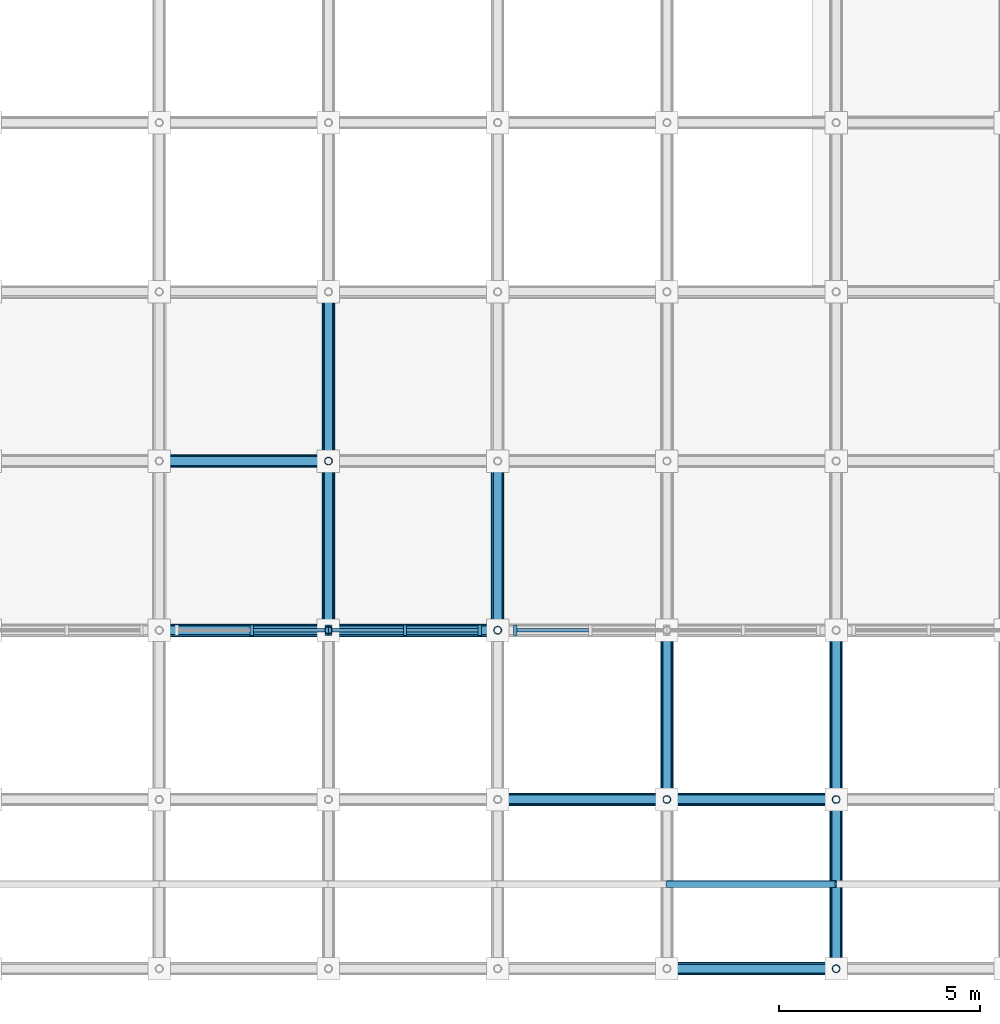
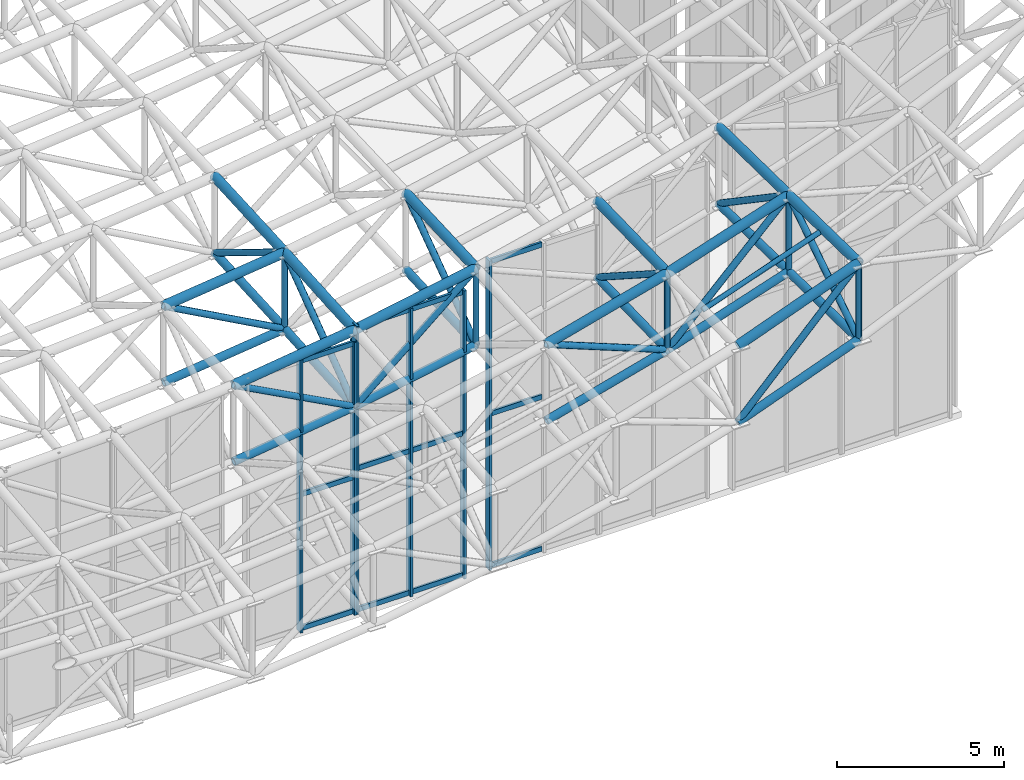
# One storey, part 16 of 93: 61 members, 3 elements without a shape of their own.
"""IFC4 building model written with IfcOpenShell, lengths in metres."""

from ifc_helpers import new_model, si_unit, direction, frame, origin, origin_2d, place, context, subcontext, project, spatial, rectangle, hollow_circle, extrude, material, material_profile, profile_set, type_object, element, aggregate, save


model = new_model("IFC4")

# Units and contexts
model_context = context("Model", 3, precision=1e-05, world=origin(), true_north=direction((0.0, 1.0)))
body_context = subcontext(model_context, "Body", "Model", "MODEL_VIEW")
ifc_project = project(units=[si_unit("LENGTHUNIT", "METRE"), si_unit("AREAUNIT", "SQUARE_METRE"), si_unit("VOLUMEUNIT", "CUBIC_METRE"), si_unit("PLANEANGLEUNIT", "RADIAN"), si_unit("MASSUNIT", "GRAM", prefix="KILO")], contexts=[model_context])

# Site, building, storey
site_placement = place(None, origin())
site = spatial("IfcSite", under=ifc_project, at=site_placement, CompositionType="ELEMENT")
building_placement = place(site_placement, origin())
building = spatial("IfcBuilding", under=site, at=building_placement, Name="Cumbredor Promenade Congress Hotel", CompositionType="ELEMENT")
storey_placement = place(building_placement, frame((0.0, 0.0, 21.840087890625)))
storey = spatial("IfcBuildingStorey", under=building, at=storey_placement, Name="L06", CompositionType="ELEMENT", Elevation=21.840087890625)

# Curtain wall, members
ifc_material_1 = material(Name="Thermally broken anodized aluminium and low-E glass", Category="aluminium")
curtain_wall_type = type_object("IfcCurtainWallType", Name="Stepped Pavilion Clerestory Curtain Wall CW-06", PredefinedType="NOTDEFINED", material=ifc_material_1)
curtain_wall_1_placement = place(storey_placement, origin())
curtain_wall_1 = element("IfcCurtainWall", 1, at=curtain_wall_1_placement, inside=storey, type_object=curtain_wall_type, Name="Plenary Congress Hall S Glazed Clerestory 9", PredefinedType="NOTDEFINED")
ifc_material_2 = material(Name="Thermally broken anodized aluminium", Category="aluminium")
ifc_material_profile_1 = material_profile(ifc_material_2, rectangle(XDim=0.0849609375, YDim=0.260009765625, at=origin_2d()), Name="ALU MULLION CLERESTORY 85x260")
ifc_profile_set_1 = profile_set([ifc_material_profile_1], Name="Thermally broken anodized aluminium")
member_type_1 = type_object("IfcMemberType", Name="Curtain Wall Mullion ML-04", PredefinedType="MULLION", material=ifc_profile_set_1)
member_1_placement = place(storey_placement, frame((44.300048828125, 8.39990234375, -0.01806640625), z_axis=(0.0, 0.0, 1.0), x_axis=(1.0, 0.0, 0.0)))
member_1 = element("IfcMember", 2, at=member_1_placement, type_object=member_type_1, Name="Plenary Congress Hall S Glazed Clerestory 9 Mullion 2", PredefinedType="MULLION", context=body_context, shape_type="SweptSolid", body=[
    extrude(rectangle(XDim=0.0849609375, YDim=0.260009765625, at=origin_2d()), origin(), (0.0, 0.0, 1.0), 9.986328125),
])
member_2_placement = place(storey_placement, frame((46.159912109375, 8.39990234375, -0.01806640625), z_axis=(0.0, 0.0, 1.0), x_axis=(1.0, 0.0, 0.0)))
member_2 = element("IfcMember", 3, at=member_2_placement, type_object=member_type_1, Name="Plenary Congress Hall S Glazed Clerestory 9 Mullion 3", PredefinedType="MULLION", context=body_context, shape_type="SweptSolid", body=[
    extrude(rectangle(XDim=0.0849609375, YDim=0.260009765625, at=origin_2d()), origin(), (0.0, 0.0, 1.0), 9.986328125),
])

curtain_wall_2_placement = place(storey_placement, origin())
curtain_wall_2 = element("IfcCurtainWall", 4, at=curtain_wall_2_placement, inside=storey, type_object=curtain_wall_type, Name="Plenary Congress Hall S Glazed Clerestory 10", PredefinedType="NOTDEFINED")
member_3_placement = place(storey_placement, frame((46.239990234375, 8.39990234375, -0.01806640625), z_axis=(0.0, 0.0, 1.0), x_axis=(1.0, 0.0, 0.0)))
member_3 = element("IfcMember", 5, at=member_3_placement, type_object=member_type_1, Name="Plenary Congress Hall S Glazed Clerestory 10 Mullion 1", PredefinedType="MULLION", context=body_context, shape_type="SweptSolid", body=[
    extrude(rectangle(XDim=0.0849609375, YDim=0.260009765625, at=origin_2d()), origin(), (0.0, 0.0, 1.0), 10.543701171875),
])
member_4_placement = place(storey_placement, frame((48.10009765625, 8.39990234375, -0.01806640625), z_axis=(0.0, 0.0, 1.0), x_axis=(1.0, 0.0, 0.0)))
member_4 = element("IfcMember", 6, at=member_4_placement, type_object=member_type_1, Name="Plenary Congress Hall S Glazed Clerestory 10 Mullion 2", PredefinedType="MULLION", context=body_context, shape_type="SweptSolid", body=[
    extrude(rectangle(XDim=0.0849609375, YDim=0.260009765625, at=origin_2d()), origin(), (0.0, 0.0, 1.0), 10.543701171875),
])
member_5_placement = place(storey_placement, frame((49.9599609375, 8.39990234375, -0.01806640625), z_axis=(0.0, 0.0, 1.0), x_axis=(1.0, 0.0, 0.0)))
member_5 = element("IfcMember", 7, at=member_5_placement, type_object=member_type_1, Name="Plenary Congress Hall S Glazed Clerestory 10 Mullion 3", PredefinedType="MULLION", context=body_context, shape_type="SweptSolid", body=[
    extrude(rectangle(XDim=0.0849609375, YDim=0.260009765625, at=origin_2d()), origin(), (0.0, 0.0, 1.0), 10.543701171875),
])

# Curtain wall, member
curtain_wall_3_placement = place(storey_placement, origin())
curtain_wall_3 = element("IfcCurtainWall", 8, at=curtain_wall_3_placement, inside=storey, type_object=curtain_wall_type, Name="Plenary Congress Hall S Glazed Clerestory 11", PredefinedType="NOTDEFINED")
member_6_placement = place(storey_placement, frame((50.840087890625, 8.39990234375, -0.01806640625), z_axis=(0.0, 0.0, 1.0), x_axis=(1.0, 0.0, 0.0)))
member_6 = element("IfcMember", 9, at=member_6_placement, type_object=member_type_1, Name="Plenary Congress Hall S Glazed Clerestory 11 Mullion 1", PredefinedType="MULLION", context=body_context, shape_type="SweptSolid", body=[
    extrude(rectangle(XDim=0.0849609375, YDim=0.260009765625, at=origin_2d()), origin(), (0.0, 0.0, 1.0), 11.32421875),
])

# Member
ifc_material_profile_2 = material_profile(ifc_material_2, rectangle(XDim=0.080078125, YDim=0.179931640625, at=origin_2d()), Name="ALU TRANSOM 80x180")
ifc_profile_set_2 = profile_set([ifc_material_profile_2], Name="Thermally broken anodized aluminium")
member_type_2 = type_object("IfcMemberType", Name="Curtain Wall Transom TR-03", PredefinedType="USERDEFINED", material=ifc_profile_set_2)
member_7_placement = place(storey_placement, frame((44.342529296875, 8.39990234375, 0.079833984375), z_axis=(1.0, 0.0, 0.0), x_axis=(0.0, 1.0, 0.0)))
member_7 = element("IfcMember", 10, at=member_7_placement, type_object=member_type_2, Name="Plenary Congress Hall S Glazed Clerestory 9 Transom 2.1", ObjectType="TRANSOM", PredefinedType="USERDEFINED", context=body_context, shape_type="SweptSolid", body=[
    extrude(rectangle(XDim=0.080078125, YDim=0.179931640625, at=origin_2d()), origin(), (0.0, 0.0, 1.0), 1.77490234375),
])

member_8_placement = place(storey_placement, frame((44.342529296875, 8.39990234375, 4.97998046875), z_axis=(1.0, 0.0, 0.0), x_axis=(0.0, 1.0, 0.0)))
member_8 = element("IfcMember", 11, at=member_8_placement, type_object=member_type_2, Name="Plenary Congress Hall S Glazed Clerestory 9 Transom 2.2", ObjectType="TRANSOM", PredefinedType="USERDEFINED", context=body_context, shape_type="SweptSolid", body=[
    extrude(rectangle(XDim=0.080078125, YDim=0.179931640625, at=origin_2d()), origin(), (0.0, 0.0, 1.0), 1.77490234375),
])

member_9_placement = place(storey_placement, frame((44.342529296875, 8.39990234375, 9.869873046875), z_axis=(1.0, 0.0, 0.0), x_axis=(0.0, 1.0, 0.0)))
member_9 = element("IfcMember", 12, at=member_9_placement, type_object=member_type_2, Name="Plenary Congress Hall S Glazed Clerestory 9 Transom 2.3", ObjectType="TRANSOM", PredefinedType="USERDEFINED", context=body_context, shape_type="SweptSolid", body=[
    extrude(rectangle(XDim=0.080078125, YDim=0.179931640625, at=origin_2d()), origin(), (0.0, 0.0, 1.0), 1.77490234375),
])

aggregate(curtain_wall_1, [member_1, member_2, member_7, member_8, member_9])

member_10_placement = place(storey_placement, frame((46.282470703125, 8.39990234375, 0.079833984375), z_axis=(1.0, 0.0, 0.0), x_axis=(0.0, 1.0, 0.0)))
member_10 = element("IfcMember", 13, at=member_10_placement, type_object=member_type_2, Name="Plenary Congress Hall S Glazed Clerestory 10 Transom 1.1", ObjectType="TRANSOM", PredefinedType="USERDEFINED", context=body_context, shape_type="SweptSolid", body=[
    extrude(rectangle(XDim=0.080078125, YDim=0.179931640625, at=origin_2d()), origin(), (0.0, 0.0, 1.0), 1.775146484375),
])

member_11_placement = place(storey_placement, frame((46.282470703125, 8.39990234375, 5.260009765625), z_axis=(1.0, 0.0, 0.0), x_axis=(0.0, 1.0, 0.0)))
member_11 = element("IfcMember", 14, at=member_11_placement, type_object=member_type_2, Name="Plenary Congress Hall S Glazed Clerestory 10 Transom 1.2", ObjectType="TRANSOM", PredefinedType="USERDEFINED", context=body_context, shape_type="SweptSolid", body=[
    extrude(rectangle(XDim=0.080078125, YDim=0.179931640625, at=origin_2d()), origin(), (0.0, 0.0, 1.0), 1.775146484375),
])

member_12_placement = place(storey_placement, frame((46.282470703125, 8.39990234375, 10.429931640625), z_axis=(1.0, 0.0, 0.0), x_axis=(0.0, 1.0, 0.0)))
member_12 = element("IfcMember", 15, at=member_12_placement, type_object=member_type_2, Name="Plenary Congress Hall S Glazed Clerestory 10 Transom 1.3", ObjectType="TRANSOM", PredefinedType="USERDEFINED", context=body_context, shape_type="SweptSolid", body=[
    extrude(rectangle(XDim=0.080078125, YDim=0.179931640625, at=origin_2d()), origin(), (0.0, 0.0, 1.0), 1.775146484375),
])

member_13_placement = place(storey_placement, frame((48.142578125, 8.39990234375, 0.079833984375), z_axis=(1.0, 0.0, 0.0), x_axis=(0.0, 1.0, 0.0)))
member_13 = element("IfcMember", 16, at=member_13_placement, type_object=member_type_2, Name="Plenary Congress Hall S Glazed Clerestory 10 Transom 2.1", ObjectType="TRANSOM", PredefinedType="USERDEFINED", context=body_context, shape_type="SweptSolid", body=[
    extrude(rectangle(XDim=0.080078125, YDim=0.179931640625, at=origin_2d()), origin(), (0.0, 0.0, 1.0), 1.77490234375),
])

member_14_placement = place(storey_placement, frame((48.142578125, 8.39990234375, 5.260009765625), z_axis=(1.0, 0.0, 0.0), x_axis=(0.0, 1.0, 0.0)))
member_14 = element("IfcMember", 17, at=member_14_placement, type_object=member_type_2, Name="Plenary Congress Hall S Glazed Clerestory 10 Transom 2.2", ObjectType="TRANSOM", PredefinedType="USERDEFINED", context=body_context, shape_type="SweptSolid", body=[
    extrude(rectangle(XDim=0.080078125, YDim=0.179931640625, at=origin_2d()), origin(), (0.0, 0.0, 1.0), 1.77490234375),
])

member_15_placement = place(storey_placement, frame((48.142578125, 8.39990234375, 10.429931640625), z_axis=(1.0, 0.0, 0.0), x_axis=(0.0, 1.0, 0.0)))
member_15 = element("IfcMember", 18, at=member_15_placement, type_object=member_type_2, Name="Plenary Congress Hall S Glazed Clerestory 10 Transom 2.3", ObjectType="TRANSOM", PredefinedType="USERDEFINED", context=body_context, shape_type="SweptSolid", body=[
    extrude(rectangle(XDim=0.080078125, YDim=0.179931640625, at=origin_2d()), origin(), (0.0, 0.0, 1.0), 1.77490234375),
])

aggregate(curtain_wall_2, [member_3, member_4, member_5, member_10, member_11, member_12, member_13, member_14, member_15])

member_16_placement = place(storey_placement, frame((50.882568359375, 8.39990234375, 0.079833984375), z_axis=(1.0, 0.0, 0.0), x_axis=(0.0, 1.0, 0.0)))
member_16 = element("IfcMember", 19, at=member_16_placement, type_object=member_type_2, Name="Plenary Congress Hall S Glazed Clerestory 11 Transom 1.1", ObjectType="TRANSOM", PredefinedType="USERDEFINED", context=body_context, shape_type="SweptSolid", body=[
    extrude(rectangle(XDim=0.080078125, YDim=0.179931640625, at=origin_2d()), origin(), (0.0, 0.0, 1.0), 1.77490234375),
])

member_17_placement = place(storey_placement, frame((50.882568359375, 8.39990234375, 5.639892578125), z_axis=(1.0, 0.0, 0.0), x_axis=(0.0, 1.0, 0.0)))
member_17 = element("IfcMember", 20, at=member_17_placement, type_object=member_type_2, Name="Plenary Congress Hall S Glazed Clerestory 11 Transom 1.2", ObjectType="TRANSOM", PredefinedType="USERDEFINED", context=body_context, shape_type="SweptSolid", body=[
    extrude(rectangle(XDim=0.080078125, YDim=0.179931640625, at=origin_2d()), origin(), (0.0, 0.0, 1.0), 1.77490234375),
])

member_18_placement = place(storey_placement, frame((50.882568359375, 8.39990234375, 11.2099609375), z_axis=(1.0, 0.0, 0.0), x_axis=(0.0, 1.0, 0.0)))
member_18 = element("IfcMember", 21, at=member_18_placement, type_object=member_type_2, Name="Plenary Congress Hall S Glazed Clerestory 11 Transom 1.3", ObjectType="TRANSOM", PredefinedType="USERDEFINED", context=body_context, shape_type="SweptSolid", body=[
    extrude(rectangle(XDim=0.080078125, YDim=0.179931640625, at=origin_2d()), origin(), (0.0, 0.0, 1.0), 1.77490234375),
])

aggregate(curtain_wall_3, [member_6, member_16, member_17, member_18])

# Members
ifc_material_3 = material(Name="Steel ASTM A500 Grade C", Category="steel")
ifc_material_profile_3 = material_profile(ifc_material_3, hollow_circle(Radius=0.136474609375, WallThickness=0.01611328125, at=origin_2d()), Name="CHS 273.0x16")
ifc_profile_set_3 = profile_set([ifc_material_profile_3], Name="Steel ASTM A500 Grade C")
member_type_3 = type_object("IfcMemberType", Name="Plenary Roof Space Frame Bottom Chord", PredefinedType="CHORD", material=ifc_profile_set_3)
member_19_placement = place(storey_placement, frame((54.60009765625, 0.0, 9.10302734375), z_axis=(0.936760366069, 0.0, 0.349971451068), x_axis=(0.0, 1.0, 0.0)))
element("IfcMember", 22, at=member_19_placement, inside=storey, type_object=member_type_3, Name="Plenary Congress Hall X Bottom Chord 15.1", PredefinedType="CHORD", context=body_context, shape_type="SweptSolid", body=[
    extrude(hollow_circle(Radius=0.136474609375, WallThickness=0.01611328125, at=origin_2d()), origin(), (0.0, 0.0, 1.0), 4.4833984375),
])
member_20_placement = place(storey_placement, frame((50.39990234375, 4.199951171875, 8.083984375), z_axis=(0.965444332881, 0.0, 0.260609363049), x_axis=(0.0, 1.0, 0.0)))
element("IfcMember", 23, at=member_20_placement, inside=storey, type_object=member_type_3, Name="Plenary Congress Hall X Bottom Chord 14.2", PredefinedType="CHORD", context=body_context, shape_type="SweptSolid", body=[
    extrude(hollow_circle(Radius=0.136474609375, WallThickness=0.01611328125, at=origin_2d()), origin(), (0.0, 0.0, 1.0), 4.3505859375),
])
member_21_placement = place(storey_placement, frame((54.60009765625, 4.199951171875, 9.2177734375), z_axis=(0.949661335763, 0.0, 0.313278386354), x_axis=(0.0, 1.0, 0.0)))
element("IfcMember", 24, at=member_21_placement, inside=storey, type_object=member_type_3, Name="Plenary Congress Hall X Bottom Chord 15.2", PredefinedType="CHORD", context=body_context, shape_type="SweptSolid", body=[
    extrude(hollow_circle(Radius=0.136474609375, WallThickness=0.01611328125, at=origin_2d()), origin(), (0.0, 0.0, 1.0), 4.422607421875),
])
member_22_placement = place(storey_placement, frame((42.0, 8.39990234375, 6.980224609375), z_axis=(0.991308740539, 0.0, 0.131555999224), x_axis=(0.0, 1.0, 0.0)))
element("IfcMember", 25, at=member_22_placement, inside=storey, type_object=member_type_3, Name="Plenary Congress Hall X Bottom Chord 12.3", PredefinedType="CHORD", context=body_context, shape_type="SweptSolid", body=[
    extrude(hollow_circle(Radius=0.136474609375, WallThickness=0.01611328125, at=origin_2d()), origin(), (0.0, 0.0, 1.0), 4.23681640625),
])
member_23_placement = place(storey_placement, frame((46.199951171875, 8.39990234375, 7.53759765625), z_axis=(0.98316659684, 0.0, 0.182711364884), x_axis=(0.0, 1.0, 0.0)))
element("IfcMember", 26, at=member_23_placement, inside=storey, type_object=member_type_3, Name="Plenary Congress Hall X Bottom Chord 13.3", PredefinedType="CHORD", context=body_context, shape_type="SweptSolid", body=[
    extrude(hollow_circle(Radius=0.136474609375, WallThickness=0.01611328125, at=origin_2d()), origin(), (0.0, 0.0, 1.0), 4.27197265625),
])
member_24_placement = place(storey_placement, frame((42.0, 12.60009765625, 7.329833984375), z_axis=(0.993116278673, 0.0, 0.117132647179), x_axis=(0.0, 1.0, 0.0)))
element("IfcMember", 27, at=member_24_placement, inside=storey, type_object=member_type_3, Name="Plenary Congress Hall X Bottom Chord 12.4", PredefinedType="CHORD", context=body_context, shape_type="SweptSolid", body=[
    extrude(hollow_circle(Radius=0.136474609375, WallThickness=0.01611328125, at=origin_2d()), origin(), (0.0, 0.0, 1.0), 4.22900390625),
])
member_25_placement = place(storey_placement, frame((46.199951171875, 8.39990234375, 7.53759765625), z_axis=(0.0, 0.997663973017, 0.068312494781), x_axis=(-1.0, 0.0, 0.0)))
element("IfcMember", 28, at=member_25_placement, inside=storey, type_object=member_type_3, Name="Plenary Congress Hall Y Bottom Chord 13.3", PredefinedType="CHORD", context=body_context, shape_type="SweptSolid", body=[
    extrude(hollow_circle(Radius=0.136474609375, WallThickness=0.01611328125, at=origin_2d()), origin(), (0.0, 0.0, 1.0), 4.2099609375),
])
member_26_placement = place(storey_placement, frame((46.199951171875, 12.60009765625, 7.8251953125), z_axis=(0.0, 0.998378032968, 0.056932444942), x_axis=(-1.0, 0.0, 0.0)))
element("IfcMember", 29, at=member_26_placement, inside=storey, type_object=member_type_3, Name="Plenary Congress Hall Y Bottom Chord 13.4", PredefinedType="CHORD", context=body_context, shape_type="SweptSolid", body=[
    extrude(hollow_circle(Radius=0.136474609375, WallThickness=0.01611328125, at=origin_2d()), origin(), (0.0, 0.0, 1.0), 4.206787109375),
])
member_27_placement = place(storey_placement, frame((50.39990234375, 8.39990234375, 8.318115234375), z_axis=(0.0, 0.998863272288, 0.047667213819), x_axis=(-1.0, 0.0, 0.0)))
element("IfcMember", 30, at=member_27_placement, inside=storey, type_object=member_type_3, Name="Plenary Congress Hall Y Bottom Chord 14.3", PredefinedType="CHORD", context=body_context, shape_type="SweptSolid", body=[
    extrude(hollow_circle(Radius=0.136474609375, WallThickness=0.01611328125, at=origin_2d()), origin(), (0.0, 0.0, 1.0), 4.205078125),
])
member_28_placement = place(storey_placement, frame((54.60009765625, 4.199951171875, 9.2177734375), z_axis=(0.0, 0.999694971273, 0.024697457582), x_axis=(-1.0, 0.0, 0.0)))
element("IfcMember", 31, at=member_28_placement, inside=storey, type_object=member_type_3, Name="Plenary Congress Hall Y Bottom Chord 15.2", PredefinedType="CHORD", context=body_context, shape_type="SweptSolid", body=[
    extrude(hollow_circle(Radius=0.136474609375, WallThickness=0.01611328125, at=origin_2d()), origin(), (0.0, 0.0, 1.0), 4.201171875),
])
member_29_placement = place(storey_placement, frame((58.800048828125, 0.0, 10.672119140625), z_axis=(0.0, 0.999865670213, -0.016390287682), x_axis=(-1.0, 0.0, 0.0)))
element("IfcMember", 32, at=member_29_placement, inside=storey, type_object=member_type_3, Name="Plenary Congress Hall Y Bottom Chord 16.1", PredefinedType="CHORD", context=body_context, shape_type="SweptSolid", body=[
    extrude(hollow_circle(Radius=0.136474609375, WallThickness=0.01611328125, at=origin_2d()), origin(), (0.0, 0.0, 1.0), 4.200439453125),
])
member_30_placement = place(storey_placement, frame((58.800048828125, 4.199951171875, 10.603271484375), z_axis=(0.0, 0.999912952434, -0.013194224275), x_axis=(-1.0, 0.0, 0.0)))
element("IfcMember", 33, at=member_30_placement, inside=storey, type_object=member_type_3, Name="Plenary Congress Hall Y Bottom Chord 16.2", PredefinedType="CHORD", context=body_context, shape_type="SweptSolid", body=[
    extrude(hollow_circle(Radius=0.136474609375, WallThickness=0.01611328125, at=origin_2d()), origin(), (0.0, 0.0, 1.0), 4.2001953125),
])
ifc_material_profile_4 = material_profile(ifc_material_3, hollow_circle(Radius=0.161865234375, WallThickness=0.01611328125, at=origin_2d()), Name="CHS 323.9x16")
ifc_profile_set_4 = profile_set([ifc_material_profile_4], Name="Steel ASTM A500 Grade C")
member_type_4 = type_object("IfcMemberType", Name="Plenary Roof Space Frame Top Chord", PredefinedType="CHORD", material=ifc_profile_set_4)
member_31_placement = place(storey_placement, frame((54.60009765625, 0.0, 11.903076171875), z_axis=(0.936760366069, 0.0, 0.349971451068), x_axis=(0.0, 1.0, 0.0)))
element("IfcMember", 34, at=member_31_placement, inside=storey, type_object=member_type_4, Name="Plenary Congress Hall X Top Chord 15.1", PredefinedType="CHORD", context=body_context, shape_type="SweptSolid", body=[
    extrude(hollow_circle(Radius=0.161865234375, WallThickness=0.01611328125, at=origin_2d()), origin(), (0.0, 0.0, 1.0), 4.4833984375),
])
member_32_placement = place(storey_placement, frame((50.39990234375, 4.199951171875, 10.884033203125), z_axis=(0.965444332881, 0.0, 0.260609363049), x_axis=(0.0, 1.0, 0.0)))
element("IfcMember", 35, at=member_32_placement, inside=storey, type_object=member_type_4, Name="Plenary Congress Hall X Top Chord 14.2", PredefinedType="CHORD", context=body_context, shape_type="SweptSolid", body=[
    extrude(hollow_circle(Radius=0.161865234375, WallThickness=0.01611328125, at=origin_2d()), origin(), (0.0, 0.0, 1.0), 4.3505859375),
])
member_33_placement = place(storey_placement, frame((54.60009765625, 4.199951171875, 12.017822265625), z_axis=(0.949661335763, 0.0, 0.313278386354), x_axis=(0.0, 1.0, 0.0)))
element("IfcMember", 36, at=member_33_placement, inside=storey, type_object=member_type_4, Name="Plenary Congress Hall X Top Chord 15.2", PredefinedType="CHORD", context=body_context, shape_type="SweptSolid", body=[
    extrude(hollow_circle(Radius=0.161865234375, WallThickness=0.01611328125, at=origin_2d()), origin(), (0.0, 0.0, 1.0), 4.422607421875),
])
member_34_placement = place(storey_placement, frame((42.0, 8.39990234375, 9.7802734375), z_axis=(0.991308740539, 0.0, 0.131555999224), x_axis=(0.0, 1.0, 0.0)))
element("IfcMember", 37, at=member_34_placement, inside=storey, type_object=member_type_4, Name="Plenary Congress Hall X Top Chord 12.3", PredefinedType="CHORD", context=body_context, shape_type="SweptSolid", body=[
    extrude(hollow_circle(Radius=0.161865234375, WallThickness=0.01611328125, at=origin_2d()), origin(), (0.0, 0.0, 1.0), 4.23681640625),
])
member_35_placement = place(storey_placement, frame((46.199951171875, 8.39990234375, 10.337646484375), z_axis=(0.98316659684, 0.0, 0.182711364884), x_axis=(0.0, 1.0, 0.0)))
element("IfcMember", 38, at=member_35_placement, inside=storey, type_object=member_type_4, Name="Plenary Congress Hall X Top Chord 13.3", PredefinedType="CHORD", context=body_context, shape_type="SweptSolid", body=[
    extrude(hollow_circle(Radius=0.161865234375, WallThickness=0.01611328125, at=origin_2d()), origin(), (0.0, 0.0, 1.0), 4.27197265625),
])
member_36_placement = place(storey_placement, frame((42.0, 12.60009765625, 10.1298828125), z_axis=(0.993122992518, 0.0, 0.117075709401), x_axis=(0.0, 1.0, 0.0)))
element("IfcMember", 39, at=member_36_placement, inside=storey, type_object=member_type_4, Name="Plenary Congress Hall X Top Chord 12.4", PredefinedType="CHORD", context=body_context, shape_type="SweptSolid", body=[
    extrude(hollow_circle(Radius=0.161865234375, WallThickness=0.01611328125, at=origin_2d()), origin(), (0.0, 0.0, 1.0), 4.22900390625),
])
member_37_placement = place(storey_placement, frame((46.199951171875, 8.39990234375, 10.337646484375), z_axis=(0.0, 0.997667923567, 0.068254774822), x_axis=(-1.0, 0.0, 0.0)))
element("IfcMember", 40, at=member_37_placement, inside=storey, type_object=member_type_4, Name="Plenary Congress Hall Y Top Chord 13.3", PredefinedType="CHORD", context=body_context, shape_type="SweptSolid", body=[
    extrude(hollow_circle(Radius=0.161865234375, WallThickness=0.01611328125, at=origin_2d()), origin(), (0.0, 0.0, 1.0), 4.2099609375),
])
member_38_placement = place(storey_placement, frame((46.199951171875, 12.60009765625, 10.625), z_axis=(0.0, 0.998378032968, 0.056932444942), x_axis=(-1.0, 0.0, 0.0)))
element("IfcMember", 41, at=member_38_placement, inside=storey, type_object=member_type_4, Name="Plenary Congress Hall Y Top Chord 13.4", PredefinedType="CHORD", context=body_context, shape_type="SweptSolid", body=[
    extrude(hollow_circle(Radius=0.161865234375, WallThickness=0.01611328125, at=origin_2d()), origin(), (0.0, 0.0, 1.0), 4.206787109375),
])
member_39_placement = place(storey_placement, frame((50.39990234375, 8.39990234375, 11.1181640625), z_axis=(0.0, 0.998863272288, 0.047667213819), x_axis=(-1.0, 0.0, 0.0)))
element("IfcMember", 42, at=member_39_placement, inside=storey, type_object=member_type_4, Name="Plenary Congress Hall Y Top Chord 14.3", PredefinedType="CHORD", context=body_context, shape_type="SweptSolid", body=[
    extrude(hollow_circle(Radius=0.161865234375, WallThickness=0.01611328125, at=origin_2d()), origin(), (0.0, 0.0, 1.0), 4.205078125),
])
member_40_placement = place(storey_placement, frame((54.60009765625, 4.199951171875, 12.017822265625), z_axis=(0.0, 0.999694971273, 0.024697457582), x_axis=(-1.0, 0.0, 0.0)))
element("IfcMember", 43, at=member_40_placement, inside=storey, type_object=member_type_4, Name="Plenary Congress Hall Y Top Chord 15.2", PredefinedType="CHORD", context=body_context, shape_type="SweptSolid", body=[
    extrude(hollow_circle(Radius=0.161865234375, WallThickness=0.01611328125, at=origin_2d()), origin(), (0.0, 0.0, 1.0), 4.201171875),
])
member_41_placement = place(storey_placement, frame((58.800048828125, 0.0, 13.47216796875), z_axis=(0.0, 0.999865670213, -0.016390287682), x_axis=(-1.0, 0.0, 0.0)))
element("IfcMember", 44, at=member_41_placement, inside=storey, type_object=member_type_4, Name="Plenary Congress Hall Y Top Chord 16.1", PredefinedType="CHORD", context=body_context, shape_type="SweptSolid", body=[
    extrude(hollow_circle(Radius=0.161865234375, WallThickness=0.01611328125, at=origin_2d()), origin(), (0.0, 0.0, 1.0), 4.200439453125),
])
member_42_placement = place(storey_placement, frame((58.800048828125, 4.199951171875, 13.4033203125), z_axis=(0.0, 0.999912952434, -0.013194224275), x_axis=(-1.0, 0.0, 0.0)))
element("IfcMember", 45, at=member_42_placement, inside=storey, type_object=member_type_4, Name="Plenary Congress Hall Y Top Chord 16.2", PredefinedType="CHORD", context=body_context, shape_type="SweptSolid", body=[
    extrude(hollow_circle(Radius=0.161865234375, WallThickness=0.01611328125, at=origin_2d()), origin(), (0.0, 0.0, 1.0), 4.2001953125),
])
ifc_material_profile_5 = material_profile(ifc_material_3, hollow_circle(Radius=0.084228515625, WallThickness=0.010009765625, at=origin_2d()), Name="CHS 168.3x10")
ifc_profile_set_5 = profile_set([ifc_material_profile_5], Name="Steel ASTM A500 Grade C")
member_type_5 = type_object("IfcMemberType", Name="Roof Purlin CHS168", PredefinedType="PURLIN", material=ifc_profile_set_5)
member_43_placement = place(storey_placement, frame((54.60009765625, 2.10009765625, 11.9404296875), z_axis=(0.943345133946, 0.0, 0.331813137564), x_axis=(0.0, 1.0, 0.0)))
element("IfcMember", 46, at=member_43_placement, inside=storey, type_object=member_type_5, Name="Plenary Congress Hall Roof Eave Purlin 15.1", PredefinedType="PURLIN", context=body_context, shape_type="SweptSolid", body=[
    extrude(hollow_circle(Radius=0.084228515625, WallThickness=0.010009765625, at=origin_2d()), origin(), (0.0, 0.0, 1.0), 4.4521484375),
])
ifc_material_profile_6 = material_profile(ifc_material_3, hollow_circle(Radius=0.109619140625, WallThickness=0.012451171875, at=origin_2d()), Name="CHS 219.1x12.5")
ifc_profile_set_6 = profile_set([ifc_material_profile_6], Name="Steel ASTM A500 Grade C")
member_type_6 = type_object("IfcMemberType", Name="Space Frame Web Diagonal D1", PredefinedType="BRACE", material=ifc_profile_set_6)
member_44_placement = place(storey_placement, frame((54.60009765625, 0.0, 9.10302734375), z_axis=(0.693010491724, 0.0, 0.720927498685), x_axis=(0.0, 1.0, 0.0)))
element("IfcMember", 47, at=member_44_placement, inside=storey, type_object=member_type_6, Name="Plenary Congress Hall X Web Diagonal 15.1", PredefinedType="BRACE", context=body_context, shape_type="SweptSolid", body=[
    extrude(hollow_circle(Radius=0.109619140625, WallThickness=0.012451171875, at=origin_2d()), origin(), (0.0, 0.0, 1.0), 6.060546875),
])
member_45_placement = place(storey_placement, frame((50.39990234375, 4.199951171875, 10.884033203125), z_axis=(0.929527459473, 0.0, -0.368752901122), x_axis=(0.0, 1.0, 0.0)))
element("IfcMember", 48, at=member_45_placement, inside=storey, type_object=member_type_6, Name="Plenary Congress Hall X Web Diagonal 14.2", PredefinedType="BRACE", context=body_context, shape_type="SweptSolid", body=[
    extrude(hollow_circle(Radius=0.109619140625, WallThickness=0.012451171875, at=origin_2d()), origin(), (0.0, 0.0, 1.0), 4.5185546875),
])
member_46_placement = place(storey_placement, frame((54.60009765625, 4.199951171875, 9.2177734375), z_axis=(0.708320377911, 0.0, 0.705891098), x_axis=(0.0, 1.0, 0.0)))
element("IfcMember", 49, at=member_46_placement, inside=storey, type_object=member_type_6, Name="Plenary Congress Hall X Web Diagonal 15.2", PredefinedType="BRACE", context=body_context, shape_type="SweptSolid", body=[
    extrude(hollow_circle(Radius=0.109619140625, WallThickness=0.012451171875, at=origin_2d()), origin(), (0.0, 0.0, 1.0), 5.929443359375),
])
member_47_placement = place(storey_placement, frame((42.0, 8.39990234375, 9.7802734375), z_axis=(0.882117205046, 0.0, -0.471029974165), x_axis=(0.0, 1.0, 0.0)))
element("IfcMember", 50, at=member_47_placement, inside=storey, type_object=member_type_6, Name="Plenary Congress Hall X Web Diagonal 12.3", PredefinedType="BRACE", context=body_context, shape_type="SweptSolid", body=[
    extrude(hollow_circle(Radius=0.109619140625, WallThickness=0.012451171875, at=origin_2d()), origin(), (0.0, 0.0, 1.0), 4.76123046875),
])
member_48_placement = place(storey_placement, frame((46.199951171875, 8.39990234375, 7.53759765625), z_axis=(0.760990029258, 0.0, 0.648763574324), x_axis=(0.0, 1.0, 0.0)))
element("IfcMember", 51, at=member_48_placement, inside=storey, type_object=member_type_6, Name="Plenary Congress Hall X Web Diagonal 13.3", PredefinedType="BRACE", context=body_context, shape_type="SweptSolid", body=[
    extrude(hollow_circle(Radius=0.109619140625, WallThickness=0.012451171875, at=origin_2d()), origin(), (0.0, 0.0, 1.0), 5.51904296875),
])
member_49_placement = place(storey_placement, frame((42.0, 12.60009765625, 10.1298828125), z_axis=(0.876681386085, 0.0, -0.481071457574), x_axis=(0.0, 1.0, 0.0)))
element("IfcMember", 52, at=member_49_placement, inside=storey, type_object=member_type_6, Name="Plenary Congress Hall X Web Diagonal 12.4", PredefinedType="BRACE", context=body_context, shape_type="SweptSolid", body=[
    extrude(hollow_circle(Radius=0.109619140625, WallThickness=0.012451171875, at=origin_2d()), origin(), (0.0, 0.0, 1.0), 4.790771484375),
])
member_50_placement = place(storey_placement, frame((46.199951171875, 8.39990234375, 7.53759765625), z_axis=(0.0, 0.805740412365, 0.592268847638), x_axis=(-1.0, 0.0, 0.0)))
element("IfcMember", 53, at=member_50_placement, inside=storey, type_object=member_type_6, Name="Plenary Congress Hall Y Web Diagonal 13.3", PredefinedType="BRACE", context=body_context, shape_type="SweptSolid", body=[
    extrude(hollow_circle(Radius=0.109619140625, WallThickness=0.012451171875, at=origin_2d()), origin(), (0.0, 0.0, 1.0), 5.212890625),
])
member_51_placement = place(storey_placement, frame((46.199951171875, 12.60009765625, 10.625), z_axis=(0.0, 0.853854284911, -0.520512113345), x_axis=(-1.0, 0.0, 0.0)))
element("IfcMember", 54, at=member_51_placement, inside=storey, type_object=member_type_6, Name="Plenary Congress Hall Y Web Diagonal 13.4", PredefinedType="BRACE", context=body_context, shape_type="SweptSolid", body=[
    extrude(hollow_circle(Radius=0.109619140625, WallThickness=0.012451171875, at=origin_2d()), origin(), (0.0, 0.0, 1.0), 4.918701171875),
])
member_52_placement = place(storey_placement, frame((50.39990234375, 8.39990234375, 8.318115234375), z_axis=(0.0, 0.81370151239, 0.581282933462), x_axis=(-1.0, 0.0, 0.0)))
element("IfcMember", 55, at=member_52_placement, inside=storey, type_object=member_type_6, Name="Plenary Congress Hall Y Web Diagonal 14.3", PredefinedType="BRACE", context=body_context, shape_type="SweptSolid", body=[
    extrude(hollow_circle(Radius=0.109619140625, WallThickness=0.012451171875, at=origin_2d()), origin(), (0.0, 0.0, 1.0), 5.161865234375),
])
member_53_placement = place(storey_placement, frame((54.60009765625, 4.199951171875, 12.017822265625), z_axis=(0.0, 0.841513666609, -0.540235827125), x_axis=(-1.0, 0.0, 0.0)))
element("IfcMember", 56, at=member_53_placement, inside=storey, type_object=member_type_6, Name="Plenary Congress Hall Y Web Diagonal 15.2", PredefinedType="BRACE", context=body_context, shape_type="SweptSolid", body=[
    extrude(hollow_circle(Radius=0.109619140625, WallThickness=0.012451171875, at=origin_2d()), origin(), (0.0, 0.0, 1.0), 4.990966796875),
])
member_54_placement = place(storey_placement, frame((58.800048828125, 0.0, 10.672119140625), z_axis=(0.0, 0.83833114731, 0.545161340752), x_axis=(-1.0, 0.0, 0.0)))
element("IfcMember", 57, at=member_54_placement, inside=storey, type_object=member_type_6, Name="Plenary Congress Hall Y Web Diagonal 16.1", PredefinedType="BRACE", context=body_context, shape_type="SweptSolid", body=[
    extrude(hollow_circle(Radius=0.109619140625, WallThickness=0.012451171875, at=origin_2d()), origin(), (0.0, 0.0, 1.0), 5.010009765625),
])
member_55_placement = place(storey_placement, frame((58.800048828125, 4.199951171875, 13.4033203125), z_axis=(0.0, 0.826972098797, -0.562242961549), x_axis=(-1.0, 0.0, 0.0)))
element("IfcMember", 58, at=member_55_placement, inside=storey, type_object=member_type_6, Name="Plenary Congress Hall Y Web Diagonal 16.2", PredefinedType="BRACE", context=body_context, shape_type="SweptSolid", body=[
    extrude(hollow_circle(Radius=0.109619140625, WallThickness=0.012451171875, at=origin_2d()), origin(), (0.0, 0.0, 1.0), 5.07861328125),
])
ifc_material_profile_7 = material_profile(ifc_material_3, hollow_circle(Radius=0.096923828125, WallThickness=0.010009765625, at=origin_2d()), Name="CHS 193.7x10")
ifc_profile_set_7 = profile_set([ifc_material_profile_7], Name="Steel ASTM A500 Grade C")
member_type_7 = type_object("IfcMemberType", Name="Space Frame Web Post P1", PredefinedType="BRACE", material=ifc_profile_set_7)
member_56_placement = place(storey_placement, frame((46.199951171875, 8.39990234375, 7.53759765625), z_axis=(0.0, 0.0, 1.0), x_axis=(1.0, 0.0, 0.0)))
element("IfcMember", 59, at=member_56_placement, inside=storey, type_object=member_type_7, Name="Plenary Congress Hall Space Frame Web Post 13.3", PredefinedType="BRACE", context=body_context, shape_type="SweptSolid", body=[
    extrude(hollow_circle(Radius=0.096923828125, WallThickness=0.010009765625, at=origin_2d()), origin(), (0.0, 0.0, 1.0), 2.800048828125),
])
member_57_placement = place(storey_placement, frame((46.199951171875, 12.60009765625, 7.8251953125), z_axis=(0.0, 0.0, 1.0), x_axis=(1.0, 0.0, 0.0)))
element("IfcMember", 60, at=member_57_placement, inside=storey, type_object=member_type_7, Name="Plenary Congress Hall Space Frame Web Post 13.4", PredefinedType="BRACE", context=body_context, shape_type="SweptSolid", body=[
    extrude(hollow_circle(Radius=0.096923828125, WallThickness=0.010009765625, at=origin_2d()), origin(), (0.0, 0.0, 1.0), 2.7998046875),
])
for number, where, z_axis, x_axis, name in (
    (61, (50.39990234375, 8.39990234375, 8.318115234375), (0.0, 0.0, 1.0), (1.0, 0.0, 0.0), "Plenary Congress Hall Space Frame Web Post 14.3"),
    (62, (54.60009765625, 4.199951171875, 9.2177734375), (0.0, 0.0, 1.0), (1.0, 0.0, 0.0), "Plenary Congress Hall Space Frame Web Post 15.2"),
    (63, (58.800048828125, 0.0, 10.672119140625), (0.0, 0.0, 1.0), (1.0, 0.0, 0.0), "Plenary Congress Hall Space Frame Web Post 16.1"),
    (64, (58.800048828125, 4.199951171875, 10.603271484375), (0.0, 0.0, 1.0), (1.0, 0.0, 0.0), "Plenary Congress Hall Space Frame Web Post 16.2"),
):
    element("IfcMember", number, at=place(storey_placement, frame(where, z_axis=z_axis, x_axis=x_axis)), inside=storey, type_object=member_type_7, Name=name, PredefinedType="BRACE", context=body_context, shape_type="SweptSolid", body=[
        extrude(hollow_circle(Radius=0.096923828125, WallThickness=0.010009765625, at=origin_2d()), origin(), (0.0, 0.0, 1.0), 2.800048828125),
    ])

save(model, "model.ifc")
